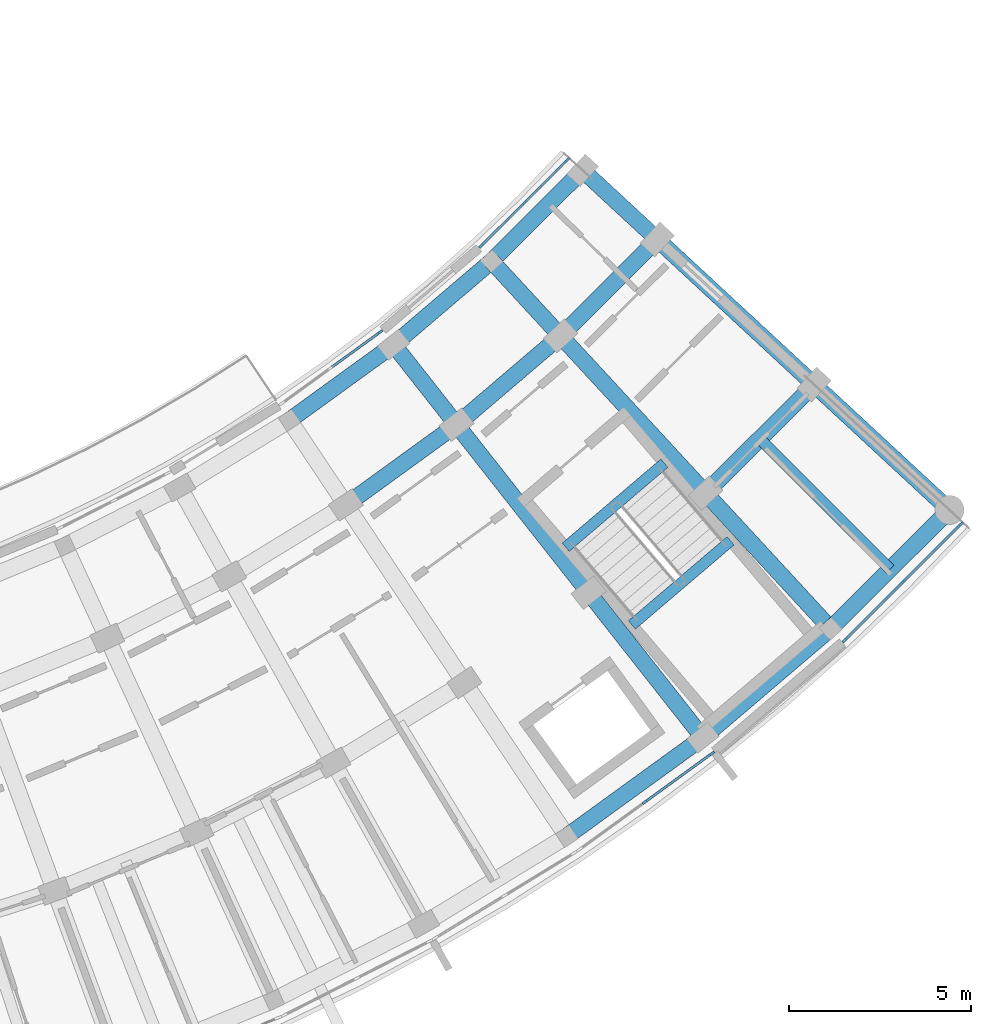
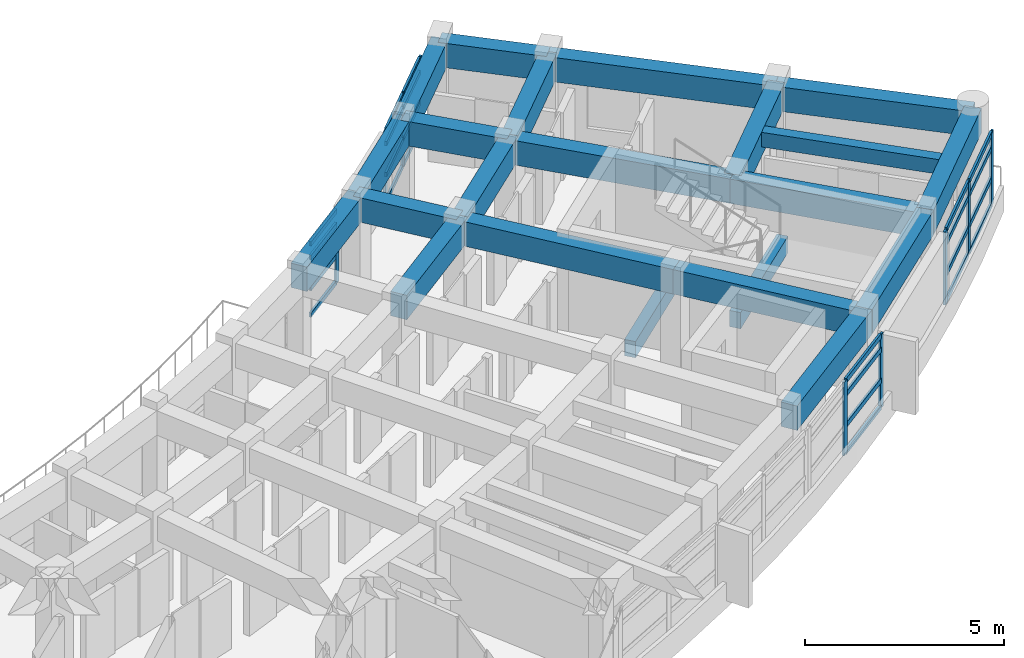
# One storey, part 19 of 56: 33 members, 22 beams, 4 elements without a shape of their own.
"""IFC4 building model written with IfcOpenShell, lengths in metres."""

import ifcopenshell
import ifcopenshell.guid

model = None  # the IFC model being written
_history = None  # IfcOwnerHistory: only IFC2X3 demands one
_inside = {}  # id of a spatial element -> (the spatial element, [elements in it])
_under = {}  # id of a project, library or spatial element -> (it, [spatial elements below it])
_declared = {}  # id of a project -> (the project, [libraries it declares])
_typed = {}  # id of a type object -> (the type object, [elements of that type])
_made_of = {}  # id of a material, layer set ... -> (it, [elements and type objects made of it])


def new_model(schema):
    """Start an empty IFC model of exactly this schema.

    Asked for "IFC4X3", IfcOpenShell would pick the latest addendum, in which some entities
    have other attributes; the version numbers below select the first issue.
    IFC2X3 requires an IfcOwnerHistory on every rooted entity: one is made here for all.
    """
    global model, _history
    if schema == "IFC4X3":
        model = ifcopenshell.file(schema_version=(4, 3, 0, 0))
    else:
        model = ifcopenshell.file(schema=schema)
    _inside.clear()
    _under.clear()
    _declared.clear()
    _typed.clear()
    _made_of.clear()
    _history = None
    if model.schema == "IFC2X3":
        org = make("IfcOrganization", Name="unknown")
        user = make(
            "IfcPersonAndOrganization",
            ThePerson=make("IfcPerson", FamilyName="unknown"),
            TheOrganization=org,
        )
        app = make(
            "IfcApplication",
            ApplicationDeveloper=org,
            Version="unknown",
            ApplicationFullName="unknown",
            ApplicationIdentifier="unknown",
        )
        _history = make(
            "IfcOwnerHistory",
            OwningUser=user,
            OwningApplication=app,
            ChangeAction="ADDED",
            CreationDate=0,
        )
    return model


def make(cls, **values):
    """One entity of the class cls with the attributes given. An attribute that is None is left unset."""
    return model.create_entity(
        cls, **{name: value for name, value in values.items() if value is not None}
    )


def rooted(cls, **values):
    """An entity with a GlobalId (a new one), such as an element, a storey or a relation."""
    return make(cls, GlobalId=ifcopenshell.guid.new(), OwnerHistory=_history, **values)


def si_unit(unit_type, name, prefix=None):
    """IfcSIUnit, for example si_unit("LENGTHUNIT", "METRE", prefix="MILLI")."""
    return make("IfcSIUnit", UnitType=unit_type, Prefix=prefix, Name=name)


def assignment(units):
    """IfcUnitAssignment: the units of a project."""
    return None if units is None else make("IfcUnitAssignment", Units=units)


def point(xyz):
    """IfcCartesianPoint."""
    return None if xyz is None else make("IfcCartesianPoint", Coordinates=xyz)


def direction(xyz):
    """IfcDirection."""
    return None if xyz is None else make("IfcDirection", DirectionRatios=xyz)


def frame(location, z_axis=None, x_axis=None):
    """IfcAxis2Placement3D, a coordinate frame: its origin and axes. An axis left out is left unset."""
    return make(
        "IfcAxis2Placement3D",
        Location=point(location),
        Axis=direction(z_axis),
        RefDirection=direction(x_axis),
    )


def frame_2d(location, x_axis=None):
    """IfcAxis2Placement2D, a coordinate frame in the plane: its origin and x axis."""
    return make(
        "IfcAxis2Placement2D", Location=point(location), RefDirection=direction(x_axis)
    )


def origin():
    """The frame at (0, 0, 0) with its axes left unset."""
    return frame((0.0, 0.0, 0.0))


def origin_2d():
    """The frame at (0, 0) in the plane with its x axis left unset."""
    return frame_2d((0.0, 0.0))


def place(relative_to, where):
    """IfcLocalPlacement: puts the frame where relative to a parent placement (None: the world)."""
    return make(
        "IfcLocalPlacement", PlacementRelTo=relative_to, RelativePlacement=where
    )


def context(
    kind, dimensions, precision=None, world=None, true_north=None, identifier=None
):
    """IfcGeometricRepresentationContext, for example the 3D "Model" context."""
    return make(
        "IfcGeometricRepresentationContext",
        ContextIdentifier=identifier,
        ContextType=kind,
        CoordinateSpaceDimension=dimensions,
        Precision=precision,
        WorldCoordinateSystem=world,
        TrueNorth=true_north,
    )


def subcontext(parent, identifier, kind, view, scale=None):
    """IfcGeometricRepresentationSubContext, for example "Body" below "Model"."""
    return make(
        "IfcGeometricRepresentationSubContext",
        ContextIdentifier=identifier,
        ContextType=kind,
        ParentContext=parent,
        TargetScale=scale,
        TargetView=view,
    )


def project(units=None, contexts=None):
    """IfcProject with its units and contexts."""
    return rooted(
        "IfcProject",
        Name="project",
        RepresentationContexts=contexts,
        UnitsInContext=assignment(units),
    )


def spatial(cls, under=None, at=None, **own):
    """A site, building, storey or space (cls), placed at a placement, below another one or the project."""
    s = rooted(cls, ObjectPlacement=at, **own)
    if under is not None:
        _under.setdefault(under.id(), (under, []))[1].append(s)
    return s


def profile(cls, at=None, kind="AREA", **sizes):
    """A parametric profile (cls). Its sizes go by their IFC names, for example OverallWidth=200.0."""
    return make(cls, ProfileType=kind, Position=at, **sizes)


def rectangle(**sizes):
    """IfcRectangleProfileDef."""
    return profile("IfcRectangleProfileDef", **sizes)


def extrude(swept, where, along, depth):
    """IfcExtrudedAreaSolid: the profile swept, set in the frame where, extruded along a direction by depth."""
    return make(
        "IfcExtrudedAreaSolid",
        SweptArea=swept,
        Position=where,
        ExtrudedDirection=direction(along),
        Depth=depth,
    )


def shape(context_of_items, identifier, shape_type, items):
    """IfcShapeRepresentation: the items that make up one representation, for example the "Body"."""
    return make(
        "IfcShapeRepresentation",
        ContextOfItems=context_of_items,
        RepresentationIdentifier=identifier,
        RepresentationType=shape_type,
        Items=items,
    )


def material(Name=None, Category=None):
    """IfcMaterial."""
    return make("IfcMaterial", Name=Name, Category=Category)


def material_profile(
    of_material, cross_section, Name=None, Category=None, Priority=None
):
    """IfcMaterialProfile: a cross section and its material."""
    return make(
        "IfcMaterialProfile",
        Name=Name,
        Material=of_material,
        Profile=cross_section,
        Priority=Priority,
        Category=Category,
    )


def profile_set(profiles, Name=None, composite=None):
    """IfcMaterialProfileSet."""
    return make(
        "IfcMaterialProfileSet",
        Name=Name,
        MaterialProfiles=profiles,
        CompositeProfile=composite,
    )


def made_of(thing, what):
    """Note that an element or type object is made of a material, layer set ...; save() writes the relation."""
    if what is not None:
        _made_of.setdefault(what.id(), (what, []))[1].append(thing)
    return thing


def type_object(cls, material=None, **own):
    """A type object (cls), such as IfcWallType, which elements share."""
    return made_of(rooted(cls, **own), material)


def element(
    cls,
    number,
    at=None,
    inside=None,
    cuts=None,
    type_object=None,
    material=None,
    context=None,
    identifier="Body",
    shape_type=None,
    held_by="IfcProductDefinitionShape",
    body=None,
    shapes=None,
    **own,
):
    """One element of the class cls, such as IfcWall. Its Tag is "e" and its number.

    at: its placement. inside: the storey or other place that contains it. cuts: it is an
    opening in that element (IfcRelVoidsElement). A single representation is given by context,
    identifier, shape_type and body (its items); several are given by shapes. held_by: the class
    of the entity that holds the representations. save() writes the other relations.
    """
    e = rooted(cls, Tag="e%d" % number, ObjectPlacement=at, **own)
    if body is not None:
        shapes = [shape(context, identifier, shape_type, body)]
    if shapes is not None:
        e.Representation = make(held_by, Representations=shapes)
    if inside is not None:
        _inside.setdefault(inside.id(), (inside, []))[1].append(e)
    if cuts is not None:
        rooted(
            "IfcRelVoidsElement", RelatingBuildingElement=cuts, RelatedOpeningElement=e
        )
    if type_object is not None:
        _typed.setdefault(type_object.id(), (type_object, []))[1].append(e)
    return made_of(e, material)


def aggregate(whole, parts):
    """IfcRelAggregates: a whole, such as a stair, and the parts it consists of."""
    return rooted("IfcRelAggregates", RelatingObject=whole, RelatedObjects=parts)


def save(model, path):
    """Write the relations noted so far, then the file.

    IfcRelAggregates (storeys below a building ...), IfcRelContainedInSpatialStructure (elements
    in a storey), IfcRelDefinesByType, IfcRelAssociatesMaterial and IfcRelDeclares: one each for
    every whole, place, type object, material and project.
    """
    for whole, parts in _under.values():
        aggregate(whole, parts)
    for where, things in _inside.values():
        rooted(
            "IfcRelContainedInSpatialStructure",
            RelatedElements=things,
            RelatingStructure=where,
        )
    for kind, things in _typed.values():
        rooted("IfcRelDefinesByType", RelatedObjects=things, RelatingType=kind)
    for what, things in _made_of.values():
        rooted("IfcRelAssociatesMaterial", RelatedObjects=things, RelatingMaterial=what)
    for by, libraries in _declared.values():
        rooted("IfcRelDeclares", RelatingContext=by, RelatedDefinitions=libraries)
    model.write(path)


model = new_model("IFC4")

# Units and contexts
model_context = context("Model", 3, precision=1e-05, world=origin(), true_north=direction((0.0, 1.0)))
body_context = subcontext(model_context, "Body", "Model", "MODEL_VIEW")
ifc_project = project(units=[si_unit("LENGTHUNIT", "METRE"), si_unit("AREAUNIT", "SQUARE_METRE"), si_unit("VOLUMEUNIT", "CUBIC_METRE"), si_unit("PLANEANGLEUNIT", "RADIAN"), si_unit("MASSUNIT", "GRAM", prefix="KILO")], contexts=[model_context])

# Site, building, storey
site_placement = place(None, origin())
site = spatial("IfcSite", under=ifc_project, at=site_placement, CompositionType="ELEMENT")
building_placement = place(site_placement, origin())
building = spatial("IfcBuilding", under=site, at=building_placement, Name="Zimvara Arc Housing Community", CompositionType="ELEMENT")
storey_placement = place(building_placement, frame((0.0, 0.0, 11.199951171875)))
storey = spatial("IfcBuildingStorey", under=building, at=storey_placement, Name="L03", CompositionType="ELEMENT", Elevation=11.199951171875)

# Beams
ifc_material_1 = material(Name="Concrete C40/50", Category="concrete")
ifc_material_profile_1 = material_profile(ifc_material_1, rectangle(XDim=0.300048828125, YDim=0.449951171875, at=origin_2d()), Name="RC 300x450")
ifc_profile_set_1 = profile_set([ifc_material_profile_1], Name="Concrete C40/50")
beam_type_1 = type_object("IfcBeamType", Name="BM-RC-300x450", PredefinedType="JOIST", material=ifc_profile_set_1)
beam_1_placement = place(storey_placement, frame((163.959716796875, 71.813720703125, 2.635009765625), z_axis=(0.706529394337, -0.707683696956, 0.0), x_axis=(0.707683696956, 0.706529394337, 0.0)))
element("IfcBeam", 1, at=beam_1_placement, inside=storey, type_object=beam_type_1, Name="bm:blkD:L03:joist:b9", PredefinedType="JOIST", context=body_context, shape_type="SweptSolid", body=[
    extrude(rectangle(XDim=0.300048828125, YDim=0.449951171875, at=origin_2d()), origin(), (0.0, 0.0, 1.0), 5.076171875),
])
ifc_material_2 = material(Name="Concrete C40/50", Category="concrete")
ifc_material_profile_2 = material_profile(ifc_material_2, rectangle(XDim=0.300048828125, YDim=0.5, at=origin_2d()), Name="RC 300x500")
ifc_profile_set_2 = profile_set([ifc_material_profile_2], Name="Concrete C40/50")
beam_type_2 = type_object("IfcBeamType", Name="BM-RC-300x500", PredefinedType="BEAM", material=ifc_profile_set_2)
for number, where, z_axis, x_axis, name in (
    (2, (158.617919921875, 68.826904296875, -0.25), (0.760986863652, 0.648767287515, 0.0), (-0.648767287515, 0.760986863652, 0.0), "bm:stair_trim:ST-D2:L03:near"),
    (3, (160.439697265625, 66.690185546875, 1.300048828125), (0.760986863652, 0.648767287515, 0.0), (-0.648767287515, 0.760986863652, 0.0), "bm:stair_trim:ST-D2:L03:mid"),
):
    element("IfcBeam", number, at=place(storey_placement, frame(where, z_axis=z_axis, x_axis=x_axis)), inside=storey, type_object=beam_type_2, Name=name, PredefinedType="BEAM", context=body_context, shape_type="SweptSolid", body=[
        extrude(rectangle(XDim=0.300048828125, YDim=0.5, at=origin_2d()), origin(), (0.0, 0.0, 1.0), 3.570068359375),
    ])
ifc_material_3 = material(Name="Concrete C40/50", Category="concrete")
ifc_material_profile_3 = material_profile(ifc_material_3, rectangle(XDim=0.449951171875, YDim=0.75, at=origin_2d()), Name="RC 450x750")
ifc_profile_set_3 = profile_set([ifc_material_profile_3], Name="Concrete C40/50")
beam_type_3 = type_object("IfcBeamType", Name="BM-RC-450x750", PredefinedType="BEAM", material=ifc_profile_set_3)
beam_2_placement = place(storey_placement, frame((151.0146484375, 72.322265625, 2.485107421875), z_axis=(0.809531019898, 0.587077105517, 0.0), x_axis=(-0.587077105517, 0.809531019898, 0.0)))
element("IfcBeam", 4, at=beam_2_placement, inside=storey, type_object=beam_type_3, Name="bm:blkD:L03:chord:r0:b7", PredefinedType="BEAM", context=body_context, shape_type="SweptSolid", body=[
    extrude(rectangle(XDim=0.449951171875, YDim=0.75, at=origin_2d()), origin(), (0.0, 0.0, 1.0), 3.542724609375),
])
beam_3_placement = place(storey_placement, frame((153.882568359375, 74.402099609375, 2.485107421875), z_axis=(0.760971029961, 0.648785859556, 0.0), x_axis=(-0.648785859556, 0.760971029961, 0.0)))
element("IfcBeam", 5, at=beam_3_placement, inside=storey, type_object=beam_type_3, Name="bm:blkD:L03:chord:r0:b8", PredefinedType="BEAM", context=body_context, shape_type="SweptSolid", body=[
    extrude(rectangle(XDim=0.449951171875, YDim=0.75, at=origin_2d()), origin(), (0.0, 0.0, 1.0), 3.54296875),
])
beam_4_placement = place(storey_placement, frame((156.57861328125, 76.70068359375, 2.485107421875), z_axis=(0.70772671761, 0.706486300773, 0.0), x_axis=(-0.706486300773, 0.70772671761, 0.0)))
element("IfcBeam", 6, at=beam_4_placement, inside=storey, type_object=beam_type_3, Name="bm:blkD:L03:chord:r0:b9", PredefinedType="BEAM", context=body_context, shape_type="SweptSolid", body=[
    extrude(rectangle(XDim=0.449951171875, YDim=0.75, at=origin_2d()), origin(), (0.0, 0.0, 1.0), 3.542724609375),
])
for number, where, z_axis, x_axis, name in (
    (7, (152.568115234375, 69.99267578125, 2.485107421875), (0.809521012702, 0.58709090437, 0.0), (-0.58709090437, 0.809521012702, 0.0), "bm:blkD:L03:chord:r1:b7"),
    (8, (155.614013671875, 72.20166015625, 2.485107421875), (0.760971502801, 0.648785304955, 0.0), (-0.648785304955, 0.760971502801, 0.0), "bm:blkD:L03:chord:r1:b8"),
):
    element("IfcBeam", number, at=place(storey_placement, frame(where, z_axis=z_axis, x_axis=x_axis)), inside=storey, type_object=beam_type_3, Name=name, PredefinedType="BEAM", context=body_context, shape_type="SweptSolid", body=[
        extrude(rectangle(XDim=0.449951171875, YDim=0.75, at=origin_2d()), origin(), (0.0, 0.0, 1.0), 3.7626953125),
    ])
beam_5_placement = place(storey_placement, frame((158.477294921875, 74.642822265625, 2.485107421875), z_axis=(0.707722882862, 0.706490142234, 0.0), x_axis=(-0.706490142234, 0.707722882862, 0.0)))
element("IfcBeam", 9, at=beam_5_placement, inside=storey, type_object=beam_type_3, Name="bm:blkD:L03:chord:r1:b9", PredefinedType="BEAM", context=body_context, shape_type="SweptSolid", body=[
    extrude(rectangle(XDim=0.449951171875, YDim=0.75, at=origin_2d()), origin(), (0.0, 0.0, 1.0), 3.762939453125),
])
beam_6_placement = place(storey_placement, frame((162.465087890625, 70.321533203125, 2.485107421875), z_axis=(0.707684482516, 0.706528607493, 0.0), x_axis=(-0.706528607493, 0.707684482516, 0.0)))
element("IfcBeam", 10, at=beam_6_placement, inside=storey, type_object=beam_type_3, Name="bm:blkD:L03:chord:r2:b9", PredefinedType="BEAM", context=body_context, shape_type="SweptSolid", body=[
    extrude(rectangle(XDim=0.449951171875, YDim=0.75, at=origin_2d()), origin(), (0.0, 0.0, 1.0), 4.224365234375),
])
for number, where, z_axis, x_axis, name in (
    (11, (158.649169921875, 60.87451171875, 2.485107421875), (0.809516329672, 0.587097361598, 0.0), (-0.587097361598, 0.809516329672, 0.0), "bm:blkD:L03:chord:r3:b7"),
    (12, (162.391845703125, 63.5888671875, 2.485107421875), (0.761009534972, 0.648740693715, 0.0), (-0.648740693715, 0.761009534972, 0.0), "bm:blkD:L03:chord:r3:b8"),
    (13, (165.91015625, 66.588134765625, 2.485107421875), (0.707713796096, 0.706499244738, 0.0), (-0.706499244738, 0.707713796096, 0.0), "bm:blkD:L03:chord:r3:b9"),
):
    element("IfcBeam", number, at=place(storey_placement, frame(where, z_axis=z_axis, x_axis=x_axis)), inside=storey, type_object=beam_type_3, Name=name, PredefinedType="BEAM", context=body_context, shape_type="SweptSolid", body=[
        extrude(rectangle(XDim=0.449951171875, YDim=0.75, at=origin_2d()), origin(), (0.0, 0.0, 1.0), 4.623291015625),
    ])
beam_7_placement = place(storey_placement, frame((153.882568359375, 74.402099609375, 2.485107421875), z_axis=(0.618379767762, -0.785879420028, 0.0), x_axis=(0.785879420028, 0.618379767762, 0.0)))
element("IfcBeam", 14, at=beam_7_placement, inside=storey, type_object=beam_type_3, Name="bm:blkD:L03:rad:b8:r01", PredefinedType="BEAM", context=body_context, shape_type="SweptSolid", body=[
    extrude(rectangle(XDim=0.449951171875, YDim=0.75, at=origin_2d()), origin(), (0.0, 0.0, 1.0), 2.800048828125),
])
beam_8_placement = place(storey_placement, frame((155.614013671875, 72.20166015625, 2.485107421875), z_axis=(0.618431976389, -0.785838336161, 0.0), x_axis=(0.785838336161, 0.618431976389, 0.0)))
element("IfcBeam", 15, at=beam_8_placement, inside=storey, type_object=beam_type_3, Name="bm:blkD:L03:rad:b8:r12", PredefinedType="BEAM", context=body_context, shape_type="SweptSolid", body=[
    extrude(rectangle(XDim=0.449951171875, YDim=0.75, at=origin_2d()), origin(), (0.0, 0.0, 1.0), 5.880126953125),
])
beam_9_placement = place(storey_placement, frame((159.25048828125, 67.580810546875, 2.485107421875), z_axis=(0.618409338539, -0.785856150964, 0.0), x_axis=(0.785856150964, 0.618409338539, 0.0)))
element("IfcBeam", 16, at=beam_9_placement, inside=storey, type_object=beam_type_3, Name="bm:blkD:L03:rad:b8:r23", PredefinedType="BEAM", context=body_context, shape_type="SweptSolid", body=[
    extrude(rectangle(XDim=0.449951171875, YDim=0.75, at=origin_2d()), origin(), (0.0, 0.0, 1.0), 5.079833984375),
])
beam_10_placement = place(storey_placement, frame((156.57861328125, 76.70068359375, 2.485107421875), z_axis=(0.678109874626, -0.734960541754, 0.0), x_axis=(0.734960541754, 0.678109874626, 0.0)))
element("IfcBeam", 17, at=beam_10_placement, inside=storey, type_object=beam_type_3, Name="bm:blkD:L03:rad:b9:r01", PredefinedType="BEAM", context=body_context, shape_type="SweptSolid", body=[
    extrude(rectangle(XDim=0.449951171875, YDim=0.75, at=origin_2d()), origin(), (0.0, 0.0, 1.0), 2.800048828125),
])
beam_11_placement = place(storey_placement, frame((158.477294921875, 74.642822265625, 2.485107421875), z_axis=(0.678180078146, -0.734895762409, 0.0), x_axis=(0.734895762409, 0.678180078146, 0.0)))
element("IfcBeam", 18, at=beam_11_placement, inside=storey, type_object=beam_type_3, Name="bm:blkD:L03:rad:b9:r12", PredefinedType="BEAM", context=body_context, shape_type="SweptSolid", body=[
    extrude(rectangle(XDim=0.449951171875, YDim=0.75, at=origin_2d()), origin(), (0.0, 0.0, 1.0), 5.880126953125),
])
beam_12_placement = place(storey_placement, frame((162.465087890625, 70.321533203125, 2.485107421875), z_axis=(0.678158334116, -0.734915827744, 0.0), x_axis=(0.734915827744, 0.678158334116, 0.0)))
element("IfcBeam", 19, at=beam_12_placement, inside=storey, type_object=beam_type_3, Name="bm:blkD:L03:rad:b9:r23", PredefinedType="BEAM", context=body_context, shape_type="SweptSolid", body=[
    extrude(rectangle(XDim=0.449951171875, YDim=0.75, at=origin_2d()), origin(), (0.0, 0.0, 1.0), 5.080078125),
])
beam_13_placement = place(storey_placement, frame((159.0859375, 79.20361328125, 2.485107421875), z_axis=(0.733746184278, -0.679423680083, 0.0), x_axis=(0.679423680083, 0.733746184278, 0.0)))
element("IfcBeam", 20, at=beam_13_placement, inside=storey, type_object=beam_type_3, Name="bm:blkD:L03:rad:b10:r01", PredefinedType="BEAM", context=body_context, shape_type="SweptSolid", body=[
    extrude(rectangle(XDim=0.449951171875, YDim=0.75, at=origin_2d()), origin(), (0.0, 0.0, 1.0), 2.800048828125),
])
beam_14_placement = place(storey_placement, frame((161.140380859375, 77.30126953125, 2.485107421875), z_axis=(0.733720040868, -0.679451912668, 0.0), x_axis=(0.679451912668, 0.733720040868, 0.0)))
element("IfcBeam", 21, at=beam_14_placement, inside=storey, type_object=beam_type_3, Name="bm:blkD:L03:rad:b10:r12", PredefinedType="BEAM", context=body_context, shape_type="SweptSolid", body=[
    extrude(rectangle(XDim=0.449951171875, YDim=0.75, at=origin_2d()), origin(), (0.0, 0.0, 1.0), 5.8798828125),
])
beam_15_placement = place(storey_placement, frame((165.45458984375, 73.30615234375, 2.485107421875), z_axis=(0.733737603291, -0.679432947035, 0.0), x_axis=(0.679432947035, 0.733737603291, 0.0)))
element("IfcBeam", 22, at=beam_15_placement, inside=storey, type_object=beam_type_3, Name="bm:blkD:L03:rad:b10:r23", PredefinedType="BEAM", context=body_context, shape_type="SweptSolid", body=[
    extrude(rectangle(XDim=0.449951171875, YDim=0.75, at=origin_2d()), origin(), (0.0, 0.0, 1.0), 5.080322265625),
])

# Curtain wall, member
ifc_material_4 = material(Name="Anodised Aluminium AW-6063", Category="aluminium")
curtain_wall_type_1 = type_object("IfcCurtainWallType", Name="CW-SYS-06", PredefinedType="USERDEFINED", material=ifc_material_4)
curtain_wall_1_placement = place(storey_placement, origin())
curtain_wall_1 = element("IfcCurtainWall", 23, at=curtain_wall_1_placement, inside=storey, type_object=curtain_wall_type_1, Name="cw:blkD:L03:in:b7", ObjectType="CURTAIN WALL", PredefinedType="USERDEFINED")
ifc_material_5 = material(Name="Anodised Aluminium AW-6063", Category="aluminium")
ifc_material_profile_4 = material_profile(ifc_material_5, rectangle(XDim=0.06494140625, YDim=0.179931640625, at=origin_2d()), Name="ALU 65x180")
ifc_profile_set_4 = profile_set([ifc_material_profile_4], Name="Anodised Aluminium AW-6063")
member_type_1 = type_object("IfcMemberType", Name="CWM-65x150", PredefinedType="MULLION", material=ifc_profile_set_4)
member_1_placement = place(storey_placement, frame((153.49853515625, 74.74072265625, 0.0), z_axis=(0.0, 0.0, 1.0), x_axis=(-0.587079343755, 0.809529396709, 0.0)))
member_1 = element("IfcMember", 24, at=member_1_placement, type_object=member_type_1, Name="CW06 mullion 3", PredefinedType="MULLION", context=body_context, shape_type="SweptSolid", body=[
    extrude(rectangle(XDim=0.06494140625, YDim=0.179931640625, at=origin_2d()), origin(), (0.0, 0.0, 1.0), 2.25),
])

# Curtain wall, members
ifc_material_6 = material(Name="Anodised Aluminium AW-6063", Category="aluminium")
curtain_wall_type_2 = type_object("IfcCurtainWallType", Name="CW-SYS-08", PredefinedType="USERDEFINED", material=ifc_material_6)
curtain_wall_2_placement = place(storey_placement, origin())
curtain_wall_2 = element("IfcCurtainWall", 25, at=curtain_wall_2_placement, inside=storey, type_object=curtain_wall_type_2, Name="cw:blkD:L03:in:b9", ObjectType="CURTAIN WALL", PredefinedType="USERDEFINED")
member_2_placement = place(storey_placement, frame((156.304931640625, 77.133544921875, 0.0), z_axis=(0.0, 0.0, 1.0), x_axis=(-0.706490294632, 0.707722730729, 0.0)))
member_2 = element("IfcMember", 26, at=member_2_placement, type_object=member_type_1, Name="CW08 mullion 1", PredefinedType="MULLION", context=body_context, shape_type="SweptSolid", body=[
    extrude(rectangle(XDim=0.06494140625, YDim=0.179931640625, at=origin_2d()), origin(), (0.0, 0.0, 1.0), 2.25),
])
member_3_placement = place(storey_placement, frame((157.479248046875, 78.3056640625, 0.0), z_axis=(0.0, 0.0, 1.0), x_axis=(-0.706490294632, 0.707722730729, 0.0)))
member_3 = element("IfcMember", 27, at=member_3_placement, type_object=member_type_1, Name="CW08 mullion 2", PredefinedType="MULLION", context=body_context, shape_type="SweptSolid", body=[
    extrude(rectangle(XDim=0.06494140625, YDim=0.179931640625, at=origin_2d()), origin(), (0.0, 0.0, 1.0), 2.25),
])
member_4_placement = place(storey_placement, frame((158.653564453125, 79.47802734375, 0.0), z_axis=(0.0, 0.0, 1.0), x_axis=(-0.706490294632, 0.707722730729, 0.0)))
member_4 = element("IfcMember", 28, at=member_4_placement, type_object=member_type_1, Name="CW08 mullion 3", PredefinedType="MULLION", context=body_context, shape_type="SweptSolid", body=[
    extrude(rectangle(XDim=0.06494140625, YDim=0.179931640625, at=origin_2d()), origin(), (0.0, 0.0, 1.0), 2.25),
])

ifc_material_7 = material(Name="Anodised Aluminium AW-6063", Category="aluminium")
curtain_wall_type_3 = type_object("IfcCurtainWallType", Name="CW-SYS-05", PredefinedType="USERDEFINED", material=ifc_material_7)
curtain_wall_3_placement = place(storey_placement, origin())
curtain_wall_3 = element("IfcCurtainWall", 29, at=curtain_wall_3_placement, inside=storey, type_object=curtain_wall_type_3, Name="cw:blkD:L03:out:b7", ObjectType="CURTAIN WALL", PredefinedType="USERDEFINED")
ifc_material_8 = material(Name="Anodised Aluminium AW-6063", Category="aluminium")
ifc_material_profile_5 = material_profile(ifc_material_8, rectangle(XDim=0.06494140625, YDim=0.195068359375, at=origin_2d()), Name="ALU 65x195")
ifc_profile_set_5 = profile_set([ifc_material_profile_5], Name="Anodised Aluminium AW-6063")
member_type_2 = type_object("IfcMemberType", Name="CWM-65x180", PredefinedType="MULLION", material=ifc_profile_set_5)
member_5_placement = place(storey_placement, frame((160.81396484375, 61.8271484375, 0.0), z_axis=(0.0, 0.0, 1.0), x_axis=(-0.587077917196, 0.809530431263, 0.0)))
member_5 = element("IfcMember", 30, at=member_5_placement, type_object=member_type_2, Name="CW05 mullion 2", PredefinedType="MULLION", context=body_context, shape_type="SweptSolid", body=[
    extrude(rectangle(XDim=0.06494140625, YDim=0.195068359375, at=origin_2d()), origin(), (0.0, 0.0, 1.0), 2.25),
])
member_6_placement = place(storey_placement, frame((162.626220703125, 63.1416015625, 0.0), z_axis=(0.0, 0.0, 1.0), x_axis=(-0.587077917196, 0.809530431263, 0.0)))
member_6 = element("IfcMember", 31, at=member_6_placement, type_object=member_type_2, Name="CW05 mullion 3", PredefinedType="MULLION", context=body_context, shape_type="SweptSolid", body=[
    extrude(rectangle(XDim=0.06494140625, YDim=0.195068359375, at=origin_2d()), origin(), (0.0, 0.0, 1.0), 2.25),
])

ifc_material_9 = material(Name="Anodised Aluminium AW-6063", Category="aluminium")
curtain_wall_type_4 = type_object("IfcCurtainWallType", Name="CW-SYS-07", PredefinedType="USERDEFINED", material=ifc_material_9)
curtain_wall_4_placement = place(storey_placement, origin())
curtain_wall_4 = element("IfcCurtainWall", 32, at=curtain_wall_4_placement, inside=storey, type_object=curtain_wall_type_4, Name="cw:blkD:L03:out:b9", ObjectType="CURTAIN WALL", PredefinedType="USERDEFINED")
member_7_placement = place(storey_placement, frame((166.314697265625, 66.2861328125, 0.0), z_axis=(0.0, 0.0, 1.0), x_axis=(-0.706489010891, 0.707724012233, 0.0)))
member_7 = element("IfcMember", 33, at=member_7_placement, type_object=member_type_2, Name="CW07 mullion 1", PredefinedType="MULLION", context=body_context, shape_type="SweptSolid", body=[
    extrude(rectangle(XDim=0.06494140625, YDim=0.195068359375, at=origin_2d()), origin(), (0.0, 0.0, 1.0), 2.25),
])
member_8_placement = place(storey_placement, frame((167.89892578125, 67.86767578125, 0.0), z_axis=(0.0, 0.0, 1.0), x_axis=(-0.706489010891, 0.707724012233, 0.0)))
member_8 = element("IfcMember", 34, at=member_8_placement, type_object=member_type_2, Name="CW07 mullion 2", PredefinedType="MULLION", context=body_context, shape_type="SweptSolid", body=[
    extrude(rectangle(XDim=0.06494140625, YDim=0.195068359375, at=origin_2d()), origin(), (0.0, 0.0, 1.0), 2.25),
])
member_9_placement = place(storey_placement, frame((169.4833984375, 69.449462890625, 0.0), z_axis=(0.0, 0.0, 1.0), x_axis=(-0.706489010891, 0.707724012233, 0.0)))
member_9 = element("IfcMember", 35, at=member_9_placement, type_object=member_type_2, Name="CW07 mullion 3", PredefinedType="MULLION", context=body_context, shape_type="SweptSolid", body=[
    extrude(rectangle(XDim=0.06494140625, YDim=0.195068359375, at=origin_2d()), origin(), (0.0, 0.0, 1.0), 2.25),
])

# Member
ifc_material_10 = material(Name="Anodised Aluminium AW-6063", Category="aluminium")
ifc_material_profile_6 = material_profile(ifc_material_10, rectangle(XDim=0.06494140625, YDim=0.139892578125, at=origin_2d()), Name="ALU 65x140")
ifc_profile_set_6 = profile_set([ifc_material_profile_6], Name="Anodised Aluminium AW-6063")
member_type_3 = type_object("IfcMemberType", Name="CWT-65x120", PredefinedType="USERDEFINED", material=ifc_profile_set_6)
member_10_placement = place(storey_placement, frame((152.181640625, 73.78564453125, 0.032470703125), z_axis=(0.809490349774, 0.587133182185, 0.0), x_axis=(-0.587133182185, 0.809490349774, 0.0)))
member_10 = element("IfcMember", 36, at=member_10_placement, type_object=member_type_3, Name="CW06 transom 2.1", ObjectType="TRANSOM", PredefinedType="USERDEFINED", context=body_context, shape_type="SweptSolid", body=[
    extrude(rectangle(XDim=0.06494140625, YDim=0.139892578125, at=origin_2d()), origin(), (0.0, 0.0, 1.0), 1.59423828125),
])

member_11_placement = place(storey_placement, frame((152.181640625, 73.78564453125, 0.85009765625), z_axis=(0.809490349774, 0.587133182185, 0.0), x_axis=(-0.587133182185, 0.809490349774, 0.0)))
member_11 = element("IfcMember", 37, at=member_11_placement, type_object=member_type_3, Name="CW06 transom 2.2", ObjectType="TRANSOM", PredefinedType="USERDEFINED", context=body_context, shape_type="SweptSolid", body=[
    extrude(rectangle(XDim=0.06494140625, YDim=0.139892578125, at=origin_2d()), origin(), (0.0, 0.0, 1.0), 1.59423828125),
])

member_12_placement = place(storey_placement, frame((152.181640625, 73.78564453125, 1.800048828125), z_axis=(0.809490349774, 0.587133182185, 0.0), x_axis=(-0.587133182185, 0.809490349774, 0.0)))
member_12 = element("IfcMember", 38, at=member_12_placement, type_object=member_type_3, Name="CW06 transom 2.3", ObjectType="TRANSOM", PredefinedType="USERDEFINED", context=body_context, shape_type="SweptSolid", body=[
    extrude(rectangle(XDim=0.06494140625, YDim=0.139892578125, at=origin_2d()), origin(), (0.0, 0.0, 1.0), 1.59423828125),
])

member_13_placement = place(storey_placement, frame((152.181640625, 73.78564453125, 2.217529296875), z_axis=(0.809490349774, 0.587133182185, 0.0), x_axis=(-0.587133182185, 0.809490349774, 0.0)))
member_13 = element("IfcMember", 39, at=member_13_placement, type_object=member_type_3, Name="CW06 transom 2.4", ObjectType="TRANSOM", PredefinedType="USERDEFINED", context=body_context, shape_type="SweptSolid", body=[
    extrude(rectangle(XDim=0.06494140625, YDim=0.139892578125, at=origin_2d()), origin(), (0.0, 0.0, 1.0), 1.59423828125),
])

aggregate(curtain_wall_1, [member_1, member_10, member_11, member_12, member_13])

member_14_placement = place(storey_placement, frame((156.327880859375, 77.156494140625, 0.032470703125), z_axis=(0.707795558339, 0.706417332457, 0.0), x_axis=(-0.706417332457, 0.707795558339, 0.0)))
member_14 = element("IfcMember", 40, at=member_14_placement, type_object=member_type_3, Name="CW08 transom 1.1", ObjectType="TRANSOM", PredefinedType="USERDEFINED", context=body_context, shape_type="SweptSolid", body=[
    extrude(rectangle(XDim=0.06494140625, YDim=0.139892578125, at=origin_2d()), origin(), (0.0, 0.0, 1.0), 1.59423828125),
])

member_15_placement = place(storey_placement, frame((156.327880859375, 77.156494140625, 0.85009765625), z_axis=(0.707795558339, 0.706417332457, 0.0), x_axis=(-0.706417332457, 0.707795558339, 0.0)))
member_15 = element("IfcMember", 41, at=member_15_placement, type_object=member_type_3, Name="CW08 transom 1.2", ObjectType="TRANSOM", PredefinedType="USERDEFINED", context=body_context, shape_type="SweptSolid", body=[
    extrude(rectangle(XDim=0.06494140625, YDim=0.139892578125, at=origin_2d()), origin(), (0.0, 0.0, 1.0), 1.59423828125),
])

member_16_placement = place(storey_placement, frame((156.327880859375, 77.156494140625, 1.800048828125), z_axis=(0.707795558339, 0.706417332457, 0.0), x_axis=(-0.706417332457, 0.707795558339, 0.0)))
member_16 = element("IfcMember", 42, at=member_16_placement, type_object=member_type_3, Name="CW08 transom 1.3", ObjectType="TRANSOM", PredefinedType="USERDEFINED", context=body_context, shape_type="SweptSolid", body=[
    extrude(rectangle(XDim=0.06494140625, YDim=0.139892578125, at=origin_2d()), origin(), (0.0, 0.0, 1.0), 1.59423828125),
])

member_17_placement = place(storey_placement, frame((156.327880859375, 77.156494140625, 2.217529296875), z_axis=(0.707795558339, 0.706417332457, 0.0), x_axis=(-0.706417332457, 0.707795558339, 0.0)))
member_17 = element("IfcMember", 43, at=member_17_placement, type_object=member_type_3, Name="CW08 transom 1.4", ObjectType="TRANSOM", PredefinedType="USERDEFINED", context=body_context, shape_type="SweptSolid", body=[
    extrude(rectangle(XDim=0.06494140625, YDim=0.139892578125, at=origin_2d()), origin(), (0.0, 0.0, 1.0), 1.59423828125),
])

member_18_placement = place(storey_placement, frame((157.502197265625, 78.32861328125, 0.032470703125), z_axis=(0.707718994505, 0.706494037354, 0.0), x_axis=(-0.706494037354, 0.707718994505, 0.0)))
member_18 = element("IfcMember", 44, at=member_18_placement, type_object=member_type_3, Name="CW08 transom 2.1", ObjectType="TRANSOM", PredefinedType="USERDEFINED", context=body_context, shape_type="SweptSolid", body=[
    extrude(rectangle(XDim=0.06494140625, YDim=0.139892578125, at=origin_2d()), origin(), (0.0, 0.0, 1.0), 1.594482421875),
])

member_19_placement = place(storey_placement, frame((157.502197265625, 78.32861328125, 0.85009765625), z_axis=(0.707718994505, 0.706494037354, 0.0), x_axis=(-0.706494037354, 0.707718994505, 0.0)))
member_19 = element("IfcMember", 45, at=member_19_placement, type_object=member_type_3, Name="CW08 transom 2.2", ObjectType="TRANSOM", PredefinedType="USERDEFINED", context=body_context, shape_type="SweptSolid", body=[
    extrude(rectangle(XDim=0.06494140625, YDim=0.139892578125, at=origin_2d()), origin(), (0.0, 0.0, 1.0), 1.594482421875),
])

member_20_placement = place(storey_placement, frame((157.502197265625, 78.32861328125, 1.800048828125), z_axis=(0.707718994505, 0.706494037354, 0.0), x_axis=(-0.706494037354, 0.707718994505, 0.0)))
member_20 = element("IfcMember", 46, at=member_20_placement, type_object=member_type_3, Name="CW08 transom 2.3", ObjectType="TRANSOM", PredefinedType="USERDEFINED", context=body_context, shape_type="SweptSolid", body=[
    extrude(rectangle(XDim=0.06494140625, YDim=0.139892578125, at=origin_2d()), origin(), (0.0, 0.0, 1.0), 1.594482421875),
])

member_21_placement = place(storey_placement, frame((157.502197265625, 78.32861328125, 2.217529296875), z_axis=(0.707718994505, 0.706494037354, 0.0), x_axis=(-0.706494037354, 0.707718994505, 0.0)))
member_21 = element("IfcMember", 47, at=member_21_placement, type_object=member_type_3, Name="CW08 transom 2.4", ObjectType="TRANSOM", PredefinedType="USERDEFINED", context=body_context, shape_type="SweptSolid", body=[
    extrude(rectangle(XDim=0.06494140625, YDim=0.139892578125, at=origin_2d()), origin(), (0.0, 0.0, 1.0), 1.594482421875),
])

aggregate(curtain_wall_2, [member_2, member_3, member_4, member_14, member_15, member_16, member_17, member_18, member_19, member_20, member_21])

ifc_material_11 = material(Name="Anodised Aluminium AW-6063", Category="aluminium")
ifc_material_profile_7 = material_profile(ifc_material_11, rectangle(XDim=0.06494140625, YDim=0.155029296875, at=origin_2d()), Name="ALU 65x155")
ifc_profile_set_7 = profile_set([ifc_material_profile_7], Name="Anodised Aluminium AW-6063")
member_type_4 = type_object("IfcMemberType", Name="CWT-65x140", PredefinedType="USERDEFINED", material=ifc_profile_set_7)
member_22_placement = place(storey_placement, frame((160.840087890625, 61.84619140625, 0.032470703125), z_axis=(0.80954639163, 0.587055908581, 0.0), x_axis=(-0.587055908581, 0.80954639163, 0.0)))
member_22 = element("IfcMember", 48, at=member_22_placement, type_object=member_type_4, Name="CW05 transom 2.1", ObjectType="TRANSOM", PredefinedType="USERDEFINED", context=body_context, shape_type="SweptSolid", body=[
    extrude(rectangle(XDim=0.06494140625, YDim=0.155029296875, at=origin_2d()), origin(), (0.0, 0.0, 1.0), 2.173828125),
])

member_23_placement = place(storey_placement, frame((160.840087890625, 61.84619140625, 0.85009765625), z_axis=(0.80954639163, 0.587055908581, 0.0), x_axis=(-0.587055908581, 0.80954639163, 0.0)))
member_23 = element("IfcMember", 49, at=member_23_placement, type_object=member_type_4, Name="CW05 transom 2.2", ObjectType="TRANSOM", PredefinedType="USERDEFINED", context=body_context, shape_type="SweptSolid", body=[
    extrude(rectangle(XDim=0.06494140625, YDim=0.155029296875, at=origin_2d()), origin(), (0.0, 0.0, 1.0), 2.173828125),
])

member_24_placement = place(storey_placement, frame((160.840087890625, 61.84619140625, 1.800048828125), z_axis=(0.80954639163, 0.587055908581, 0.0), x_axis=(-0.587055908581, 0.80954639163, 0.0)))
member_24 = element("IfcMember", 50, at=member_24_placement, type_object=member_type_4, Name="CW05 transom 2.3", ObjectType="TRANSOM", PredefinedType="USERDEFINED", context=body_context, shape_type="SweptSolid", body=[
    extrude(rectangle(XDim=0.06494140625, YDim=0.155029296875, at=origin_2d()), origin(), (0.0, 0.0, 1.0), 2.173828125),
])

member_25_placement = place(storey_placement, frame((160.840087890625, 61.84619140625, 2.217529296875), z_axis=(0.80954639163, 0.587055908581, 0.0), x_axis=(-0.587055908581, 0.80954639163, 0.0)))
member_25 = element("IfcMember", 51, at=member_25_placement, type_object=member_type_4, Name="CW05 transom 2.4", ObjectType="TRANSOM", PredefinedType="USERDEFINED", context=body_context, shape_type="SweptSolid", body=[
    extrude(rectangle(XDim=0.06494140625, YDim=0.155029296875, at=origin_2d()), origin(), (0.0, 0.0, 1.0), 2.173828125),
])

aggregate(curtain_wall_3, [member_5, member_6, member_22, member_23, member_24, member_25])

member_26_placement = place(storey_placement, frame((166.337646484375, 66.30908203125, 0.032470703125), z_axis=(0.707724267801, 0.706488754875, 0.0), x_axis=(-0.706488754875, 0.707724267801, 0.0)))
member_26 = element("IfcMember", 52, at=member_26_placement, type_object=member_type_4, Name="CW07 transom 1.1", ObjectType="TRANSOM", PredefinedType="USERDEFINED", context=body_context, shape_type="SweptSolid", body=[
    extrude(rectangle(XDim=0.06494140625, YDim=0.155029296875, at=origin_2d()), origin(), (0.0, 0.0, 1.0), 2.173583984375),
])

member_27_placement = place(storey_placement, frame((166.337646484375, 66.30908203125, 0.85009765625), z_axis=(0.707724267801, 0.706488754875, 0.0), x_axis=(-0.706488754875, 0.707724267801, 0.0)))
member_27 = element("IfcMember", 53, at=member_27_placement, type_object=member_type_4, Name="CW07 transom 1.2", ObjectType="TRANSOM", PredefinedType="USERDEFINED", context=body_context, shape_type="SweptSolid", body=[
    extrude(rectangle(XDim=0.06494140625, YDim=0.155029296875, at=origin_2d()), origin(), (0.0, 0.0, 1.0), 2.173583984375),
])

member_28_placement = place(storey_placement, frame((166.337646484375, 66.30908203125, 1.800048828125), z_axis=(0.707724267801, 0.706488754875, 0.0), x_axis=(-0.706488754875, 0.707724267801, 0.0)))
member_28 = element("IfcMember", 54, at=member_28_placement, type_object=member_type_4, Name="CW07 transom 1.3", ObjectType="TRANSOM", PredefinedType="USERDEFINED", context=body_context, shape_type="SweptSolid", body=[
    extrude(rectangle(XDim=0.06494140625, YDim=0.155029296875, at=origin_2d()), origin(), (0.0, 0.0, 1.0), 2.173583984375),
])

member_29_placement = place(storey_placement, frame((166.337646484375, 66.30908203125, 2.217529296875), z_axis=(0.707724267801, 0.706488754875, 0.0), x_axis=(-0.706488754875, 0.707724267801, 0.0)))
member_29 = element("IfcMember", 55, at=member_29_placement, type_object=member_type_4, Name="CW07 transom 1.4", ObjectType="TRANSOM", PredefinedType="USERDEFINED", context=body_context, shape_type="SweptSolid", body=[
    extrude(rectangle(XDim=0.06494140625, YDim=0.155029296875, at=origin_2d()), origin(), (0.0, 0.0, 1.0), 2.173583984375),
])

member_30_placement = place(storey_placement, frame((167.922119140625, 67.890625, 0.032470703125), z_axis=(0.707668110429, 0.706545005985, 0.0), x_axis=(-0.706545005985, 0.707668110429, 0.0)))
member_30 = element("IfcMember", 56, at=member_30_placement, type_object=member_type_4, Name="CW07 transom 2.1", ObjectType="TRANSOM", PredefinedType="USERDEFINED", context=body_context, shape_type="SweptSolid", body=[
    extrude(rectangle(XDim=0.06494140625, YDim=0.155029296875, at=origin_2d()), origin(), (0.0, 0.0, 1.0), 2.173828125),
])

member_31_placement = place(storey_placement, frame((167.922119140625, 67.890625, 0.85009765625), z_axis=(0.707668110429, 0.706545005985, 0.0), x_axis=(-0.706545005985, 0.707668110429, 0.0)))
member_31 = element("IfcMember", 57, at=member_31_placement, type_object=member_type_4, Name="CW07 transom 2.2", ObjectType="TRANSOM", PredefinedType="USERDEFINED", context=body_context, shape_type="SweptSolid", body=[
    extrude(rectangle(XDim=0.06494140625, YDim=0.155029296875, at=origin_2d()), origin(), (0.0, 0.0, 1.0), 2.173828125),
])

member_32_placement = place(storey_placement, frame((167.922119140625, 67.890625, 1.800048828125), z_axis=(0.707668110429, 0.706545005985, 0.0), x_axis=(-0.706545005985, 0.707668110429, 0.0)))
member_32 = element("IfcMember", 58, at=member_32_placement, type_object=member_type_4, Name="CW07 transom 2.3", ObjectType="TRANSOM", PredefinedType="USERDEFINED", context=body_context, shape_type="SweptSolid", body=[
    extrude(rectangle(XDim=0.06494140625, YDim=0.155029296875, at=origin_2d()), origin(), (0.0, 0.0, 1.0), 2.173828125),
])

member_33_placement = place(storey_placement, frame((167.922119140625, 67.890625, 2.217529296875), z_axis=(0.707668110429, 0.706545005985, 0.0), x_axis=(-0.706545005985, 0.707668110429, 0.0)))
member_33 = element("IfcMember", 59, at=member_33_placement, type_object=member_type_4, Name="CW07 transom 2.4", ObjectType="TRANSOM", PredefinedType="USERDEFINED", context=body_context, shape_type="SweptSolid", body=[
    extrude(rectangle(XDim=0.06494140625, YDim=0.155029296875, at=origin_2d()), origin(), (0.0, 0.0, 1.0), 2.173828125),
])

aggregate(curtain_wall_4, [member_7, member_8, member_9, member_26, member_27, member_28, member_29, member_30, member_31, member_32, member_33])

save(model, "model.ifc")
